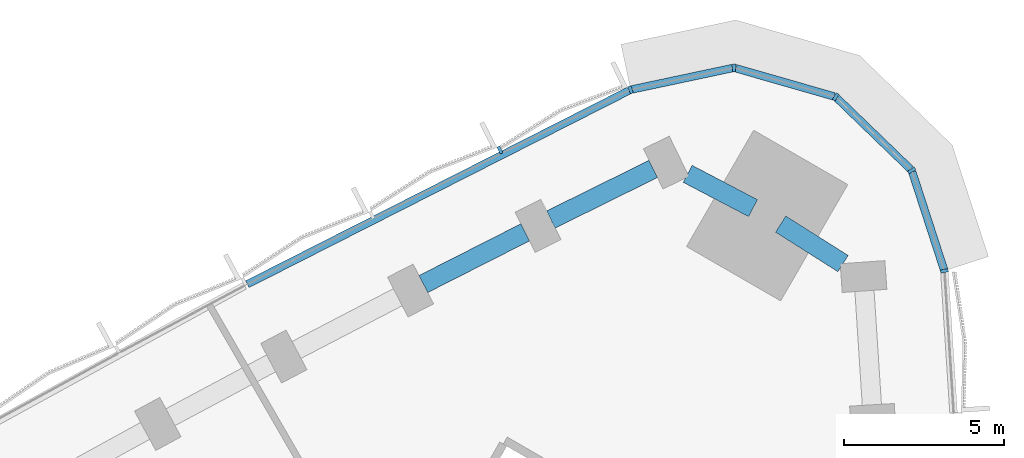
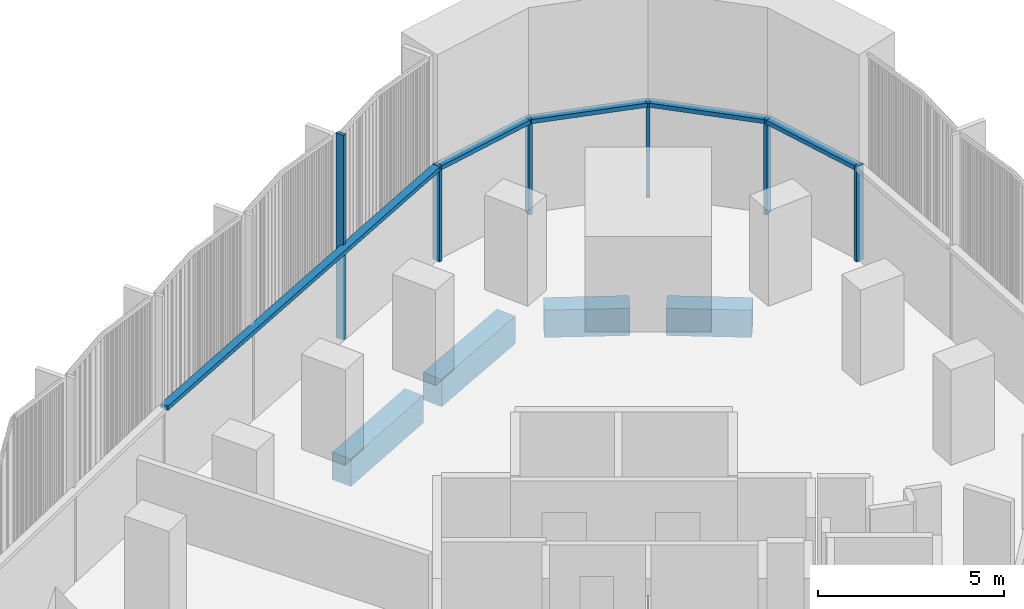
# One storey, part 7 of 16: 11 members, 4 beams, 2 elements without a shape of their own.
"""IFC4 building model written with IfcOpenShell, lengths in metres."""

import ifcopenshell
import ifcopenshell.guid

model = None  # the IFC model being written
_history = None  # IfcOwnerHistory: only IFC2X3 demands one
_inside = {}  # id of a spatial element -> (the spatial element, [elements in it])
_under = {}  # id of a project, library or spatial element -> (it, [spatial elements below it])
_declared = {}  # id of a project -> (the project, [libraries it declares])
_typed = {}  # id of a type object -> (the type object, [elements of that type])
_made_of = {}  # id of a material, layer set ... -> (it, [elements and type objects made of it])


def new_model(schema):
    """Start an empty IFC model of exactly this schema.

    Asked for "IFC4X3", IfcOpenShell would pick the latest addendum, in which some entities
    have other attributes; the version numbers below select the first issue.
    IFC2X3 requires an IfcOwnerHistory on every rooted entity: one is made here for all.
    """
    global model, _history
    if schema == "IFC4X3":
        model = ifcopenshell.file(schema_version=(4, 3, 0, 0))
    else:
        model = ifcopenshell.file(schema=schema)
    _inside.clear()
    _under.clear()
    _declared.clear()
    _typed.clear()
    _made_of.clear()
    _history = None
    if model.schema == "IFC2X3":
        org = make("IfcOrganization", Name="unknown")
        user = make(
            "IfcPersonAndOrganization",
            ThePerson=make("IfcPerson", FamilyName="unknown"),
            TheOrganization=org,
        )
        app = make(
            "IfcApplication",
            ApplicationDeveloper=org,
            Version="unknown",
            ApplicationFullName="unknown",
            ApplicationIdentifier="unknown",
        )
        _history = make(
            "IfcOwnerHistory",
            OwningUser=user,
            OwningApplication=app,
            ChangeAction="ADDED",
            CreationDate=0,
        )
    return model


def make(cls, **values):
    """One entity of the class cls with the attributes given. An attribute that is None is left unset."""
    return model.create_entity(
        cls, **{name: value for name, value in values.items() if value is not None}
    )


def rooted(cls, **values):
    """An entity with a GlobalId (a new one), such as an element, a storey or a relation."""
    return make(cls, GlobalId=ifcopenshell.guid.new(), OwnerHistory=_history, **values)


def si_unit(unit_type, name, prefix=None):
    """IfcSIUnit, for example si_unit("LENGTHUNIT", "METRE", prefix="MILLI")."""
    return make("IfcSIUnit", UnitType=unit_type, Prefix=prefix, Name=name)


def assignment(units):
    """IfcUnitAssignment: the units of a project."""
    return None if units is None else make("IfcUnitAssignment", Units=units)


def point(xyz):
    """IfcCartesianPoint."""
    return None if xyz is None else make("IfcCartesianPoint", Coordinates=xyz)


def direction(xyz):
    """IfcDirection."""
    return None if xyz is None else make("IfcDirection", DirectionRatios=xyz)


def frame(location, z_axis=None, x_axis=None):
    """IfcAxis2Placement3D, a coordinate frame: its origin and axes. An axis left out is left unset."""
    return make(
        "IfcAxis2Placement3D",
        Location=point(location),
        Axis=direction(z_axis),
        RefDirection=direction(x_axis),
    )


def frame_2d(location, x_axis=None):
    """IfcAxis2Placement2D, a coordinate frame in the plane: its origin and x axis."""
    return make(
        "IfcAxis2Placement2D", Location=point(location), RefDirection=direction(x_axis)
    )


def origin():
    """The frame at (0, 0, 0) with its axes left unset."""
    return frame((0.0, 0.0, 0.0))


def origin_2d():
    """The frame at (0, 0) in the plane with its x axis left unset."""
    return frame_2d((0.0, 0.0))


def place(relative_to, where):
    """IfcLocalPlacement: puts the frame where relative to a parent placement (None: the world)."""
    return make(
        "IfcLocalPlacement", PlacementRelTo=relative_to, RelativePlacement=where
    )


def context(
    kind, dimensions, precision=None, world=None, true_north=None, identifier=None
):
    """IfcGeometricRepresentationContext, for example the 3D "Model" context."""
    return make(
        "IfcGeometricRepresentationContext",
        ContextIdentifier=identifier,
        ContextType=kind,
        CoordinateSpaceDimension=dimensions,
        Precision=precision,
        WorldCoordinateSystem=world,
        TrueNorth=true_north,
    )


def subcontext(parent, identifier, kind, view, scale=None):
    """IfcGeometricRepresentationSubContext, for example "Body" below "Model"."""
    return make(
        "IfcGeometricRepresentationSubContext",
        ContextIdentifier=identifier,
        ContextType=kind,
        ParentContext=parent,
        TargetScale=scale,
        TargetView=view,
    )


def project(units=None, contexts=None):
    """IfcProject with its units and contexts."""
    return rooted(
        "IfcProject",
        Name="project",
        RepresentationContexts=contexts,
        UnitsInContext=assignment(units),
    )


def spatial(cls, under=None, at=None, **own):
    """A site, building, storey or space (cls), placed at a placement, below another one or the project."""
    s = rooted(cls, ObjectPlacement=at, **own)
    if under is not None:
        _under.setdefault(under.id(), (under, []))[1].append(s)
    return s


def profile(cls, at=None, kind="AREA", **sizes):
    """A parametric profile (cls). Its sizes go by their IFC names, for example OverallWidth=200.0."""
    return make(cls, ProfileType=kind, Position=at, **sizes)


def rectangle(**sizes):
    """IfcRectangleProfileDef."""
    return profile("IfcRectangleProfileDef", **sizes)


def extrude(swept, where, along, depth):
    """IfcExtrudedAreaSolid: the profile swept, set in the frame where, extruded along a direction by depth."""
    return make(
        "IfcExtrudedAreaSolid",
        SweptArea=swept,
        Position=where,
        ExtrudedDirection=direction(along),
        Depth=depth,
    )


def shape(context_of_items, identifier, shape_type, items):
    """IfcShapeRepresentation: the items that make up one representation, for example the "Body"."""
    return make(
        "IfcShapeRepresentation",
        ContextOfItems=context_of_items,
        RepresentationIdentifier=identifier,
        RepresentationType=shape_type,
        Items=items,
    )


def material(Name=None, Category=None):
    """IfcMaterial."""
    return make("IfcMaterial", Name=Name, Category=Category)


def material_profile(
    of_material, cross_section, Name=None, Category=None, Priority=None
):
    """IfcMaterialProfile: a cross section and its material."""
    return make(
        "IfcMaterialProfile",
        Name=Name,
        Material=of_material,
        Profile=cross_section,
        Priority=Priority,
        Category=Category,
    )


def profile_set(profiles, Name=None, composite=None):
    """IfcMaterialProfileSet."""
    return make(
        "IfcMaterialProfileSet",
        Name=Name,
        MaterialProfiles=profiles,
        CompositeProfile=composite,
    )


def made_of(thing, what):
    """Note that an element or type object is made of a material, layer set ...; save() writes the relation."""
    if what is not None:
        _made_of.setdefault(what.id(), (what, []))[1].append(thing)
    return thing


def type_object(cls, material=None, **own):
    """A type object (cls), such as IfcWallType, which elements share."""
    return made_of(rooted(cls, **own), material)


def element(
    cls,
    number,
    at=None,
    inside=None,
    cuts=None,
    type_object=None,
    material=None,
    context=None,
    identifier="Body",
    shape_type=None,
    held_by="IfcProductDefinitionShape",
    body=None,
    shapes=None,
    **own,
):
    """One element of the class cls, such as IfcWall. Its Tag is "e" and its number.

    at: its placement. inside: the storey or other place that contains it. cuts: it is an
    opening in that element (IfcRelVoidsElement). A single representation is given by context,
    identifier, shape_type and body (its items); several are given by shapes. held_by: the class
    of the entity that holds the representations. save() writes the other relations.
    """
    e = rooted(cls, Tag="e%d" % number, ObjectPlacement=at, **own)
    if body is not None:
        shapes = [shape(context, identifier, shape_type, body)]
    if shapes is not None:
        e.Representation = make(held_by, Representations=shapes)
    if inside is not None:
        _inside.setdefault(inside.id(), (inside, []))[1].append(e)
    if cuts is not None:
        rooted(
            "IfcRelVoidsElement", RelatingBuildingElement=cuts, RelatedOpeningElement=e
        )
    if type_object is not None:
        _typed.setdefault(type_object.id(), (type_object, []))[1].append(e)
    return made_of(e, material)


def aggregate(whole, parts):
    """IfcRelAggregates: a whole, such as a stair, and the parts it consists of."""
    return rooted("IfcRelAggregates", RelatingObject=whole, RelatedObjects=parts)


def save(model, path):
    """Write the relations noted so far, then the file.

    IfcRelAggregates (storeys below a building ...), IfcRelContainedInSpatialStructure (elements
    in a storey), IfcRelDefinesByType, IfcRelAssociatesMaterial and IfcRelDeclares: one each for
    every whole, place, type object, material and project.
    """
    for whole, parts in _under.values():
        aggregate(whole, parts)
    for where, things in _inside.values():
        rooted(
            "IfcRelContainedInSpatialStructure",
            RelatedElements=things,
            RelatingStructure=where,
        )
    for kind, things in _typed.values():
        rooted("IfcRelDefinesByType", RelatedObjects=things, RelatingType=kind)
    for what, things in _made_of.values():
        rooted("IfcRelAssociatesMaterial", RelatedObjects=things, RelatingMaterial=what)
    for by, libraries in _declared.values():
        rooted("IfcRelDeclares", RelatingContext=by, RelatedDefinitions=libraries)
    model.write(path)


model = new_model("IFC4")

# Units and contexts
model_context = context("Model", 3, precision=1e-05, world=origin(), true_north=direction((0.0, 1.0)))
body_context = subcontext(model_context, "Body", "Model", "MODEL_VIEW")
ifc_project = project(units=[si_unit("LENGTHUNIT", "METRE"), si_unit("AREAUNIT", "SQUARE_METRE"), si_unit("VOLUMEUNIT", "CUBIC_METRE"), si_unit("PLANEANGLEUNIT", "RADIAN"), si_unit("MASSUNIT", "GRAM", prefix="KILO")], contexts=[model_context])

# Site, building, storey
site_placement = place(None, origin())
site = spatial("IfcSite", under=ifc_project, at=site_placement, CompositionType="ELEMENT")
building_placement = place(site_placement, origin())
building = spatial("IfcBuilding", under=site, at=building_placement, Name="Tamra Quay Hotel Tower", CompositionType="ELEMENT")
storey_placement = place(building_placement, frame((0.0, 0.0, 56.60009765625)))
storey = spatial("IfcBuildingStorey", under=building, at=storey_placement, Name="L12", CompositionType="ELEMENT", Elevation=56.60009765625)

# Curtain wall, members
ifc_material_1 = material(Name="Aluminium 6063 anodised dark grey", Category="aluminium")
curtain_wall_type_1 = type_object("IfcCurtainWallType", Name="CW1 CURTAIN WALL", PredefinedType="NOTDEFINED", material=ifc_material_1)
curtain_wall_1_placement = place(storey_placement, origin())
curtain_wall_1 = element("IfcCurtainWall", 1, at=curtain_wall_1_placement, inside=storey, type_object=curtain_wall_type_1, Name="CW1 east face L12", PredefinedType="NOTDEFINED")
ifc_material_profile_1 = material_profile(ifc_material_1, rectangle(XDim=0.239990234375, YDim=0.10009765625, at=origin_2d()), Name="MULLION 100X240")
ifc_profile_set_1 = profile_set([ifc_material_profile_1], Name="Aluminium 6063 anodised dark grey")
member_type_1 = type_object("IfcMemberType", Name="MULLION CW1 Z1", PredefinedType="MULLION", material=ifc_profile_set_1)
member_1_placement = place(storey_placement, frame((23.40869140625, 29.2109375, 0.0), z_axis=(0.0, 0.0, 1.0), x_axis=(0.982094529733, 0.188388785943, 0.0)))
member_1 = element("IfcMember", 2, at=member_1_placement, type_object=member_type_1, Name="CW1 mullion L12.E.14", PredefinedType="MULLION", context=body_context, shape_type="SweptSolid", body=[
    extrude(rectangle(XDim=0.239990234375, YDim=0.10009765625, at=origin_2d()), origin(), (0.0, 0.0, 1.0), 3.125),
])
member_2_placement = place(storey_placement, frame((22.386474609375, 32.356201171875, 0.0), z_axis=(0.0, 0.0, 1.0), x_axis=(0.848039345356, 0.529933268183, 0.0)))
member_2 = element("IfcMember", 3, at=member_2_placement, type_object=member_type_1, Name="CW1 mullion L12.E.15", PredefinedType="MULLION", context=body_context, shape_type="SweptSolid", body=[
    extrude(rectangle(XDim=0.239990234375, YDim=0.10009765625, at=origin_2d()), origin(), (0.0, 0.0, 1.0), 3.125),
])
member_3_placement = place(storey_placement, frame((20.00732421875, 34.65380859375, 0.0), z_axis=(0.0, 0.0, 1.0), x_axis=(0.5, 0.866025403784, 0.0)))
member_3 = element("IfcMember", 4, at=member_3_placement, type_object=member_type_1, Name="CW1 mullion L12.E.16", PredefinedType="MULLION", context=body_context, shape_type="SweptSolid", body=[
    extrude(rectangle(XDim=0.239990234375, YDim=0.10009765625, at=origin_2d()), origin(), (0.0, 0.0, 1.0), 3.125),
])
member_4_placement = place(storey_placement, frame((16.828125, 35.5654296875, 0.0), z_axis=(0.0, 0.0, 1.0), x_axis=(0.034915999879, 0.999390250579, 0.0)))
member_4 = element("IfcMember", 5, at=member_4_placement, type_object=member_type_1, Name="CW1 mullion L12.E.17", PredefinedType="MULLION", context=body_context, shape_type="SweptSolid", body=[
    extrude(rectangle(XDim=0.239990234375, YDim=0.10009765625, at=origin_2d()), origin(), (0.0, 0.0, 1.0), 3.125),
])

curtain_wall_type_2 = type_object("IfcCurtainWallType", Name="CW2 CURTAIN WALL", PredefinedType="NOTDEFINED", material=ifc_material_1)
curtain_wall_2_placement = place(storey_placement, origin())
curtain_wall_2 = element("IfcCurtainWall", 6, at=curtain_wall_2_placement, inside=storey, type_object=curtain_wall_type_2, Name="CW2 north-west face L12", PredefinedType="NOTDEFINED")
ifc_material_profile_2 = material_profile(ifc_material_1, rectangle(XDim=0.239990234375, YDim=0.10009765625, at=origin_2d()), Name="MULLION 100X240")
ifc_profile_set_2 = profile_set([ifc_material_profile_2], Name="Aluminium 6063 anodised dark grey")
member_type_2 = type_object("IfcMemberType", Name="MULLION CW2 Z1", PredefinedType="MULLION", material=ifc_profile_set_2)
member_5_placement = place(storey_placement, frame((13.593017578125, 34.8779296875, 0.0), z_axis=(0.0, 0.0, 1.0), x_axis=(-0.327897790452, 0.944713204638, 0.0)))
member_5 = element("IfcMember", 7, at=member_5_placement, type_object=member_type_2, Name="CW2 mullion L12.NW.1", PredefinedType="MULLION", context=body_context, shape_type="SweptSolid", body=[
    extrude(rectangle(XDim=0.239990234375, YDim=0.10009765625, at=origin_2d()), origin(), (0.0, 0.0, 1.0), 3.125),
])
member_6_placement = place(storey_placement, frame((9.5078125, 32.994140625, 0.0), z_axis=(0.0, 0.0, 1.0), x_axis=(-0.447640760231, 0.894213481099, 0.0)))
member_6 = element("IfcMember", 8, at=member_6_placement, type_object=member_type_2, Name="CW2 mullion L12.NW.2", PredefinedType="MULLION", context=body_context, shape_type="SweptSolid", body=[
    extrude(rectangle(XDim=0.239990234375, YDim=0.10009765625, at=origin_2d()), origin(), (0.0, 0.0, 1.0), 6.724853515625),
])

# Beams
ifc_material_2 = material(Name="Concrete M60", Category="concrete")
ifc_material_profile_3 = material_profile(ifc_material_2, rectangle(XDim=0.60009765625, YDim=0.89990234375, at=origin_2d()), Name="SPANDREL BEAM RC 600x900")
ifc_profile_set_3 = profile_set([ifc_material_profile_3], Name="Concrete M60")
beam_type = type_object("IfcBeamType", Name="SPANDREL BEAM RC 600x900", PredefinedType="SPANDREL", material=ifc_profile_set_3)
beam_1_placement = place(storey_placement, frame((20.2373046875, 29.440185546875, -0.925048828125), z_axis=(-0.844978382684, 0.53480046073, 0.0), x_axis=(-0.53480046073, -0.844978382684, 0.0)))
element("IfcBeam", 9, at=beam_1_placement, inside=storey, type_object=beam_type, Name="BM-SP1-013-L12", PredefinedType="SPANDREL", context=body_context, shape_type="SweptSolid", body=[
    extrude(rectangle(XDim=0.60009765625, YDim=0.89990234375, at=origin_2d()), origin(), (0.0, 0.0, 1.0), 2.30859375),
])
beam_2_placement = place(storey_placement, frame((17.421630859375, 31.17431640625, -0.925048828125), z_axis=(-0.885674154565, 0.464307324879, 0.0), x_axis=(-0.464307324879, -0.885674154565, 0.0)))
element("IfcBeam", 10, at=beam_2_placement, inside=storey, type_object=beam_type, Name="BM-SP1-014-L12", PredefinedType="SPANDREL", context=body_context, shape_type="SweptSolid", body=[
    extrude(rectangle(XDim=0.60009765625, YDim=0.89990234375, at=origin_2d()), origin(), (0.0, 0.0, 1.0), 2.308349609375),
])
beam_3_placement = place(storey_placement, frame((14.301025390625, 32.3994140625, -0.925048828125), z_axis=(-0.896604328032, -0.442832563113, 0.0), x_axis=(0.442832563113, -0.896604328032, 0.0)))
element("IfcBeam", 11, at=beam_3_placement, inside=storey, type_object=beam_type, Name="BM-SP1-015-L12", PredefinedType="SPANDREL", context=body_context, shape_type="SweptSolid", body=[
    extrude(rectangle(XDim=0.60009765625, YDim=0.89990234375, at=origin_2d()), origin(), (0.0, 0.0, 1.0), 3.57080078125),
])
beam_4_placement = place(storey_placement, frame((10.294677734375, 30.415283203125, -0.925048828125), z_axis=(-0.891785652583, -0.452458119439, 0.0), x_axis=(0.452458119439, -0.891785652583, 0.0)))
element("IfcBeam", 12, at=beam_4_placement, inside=storey, type_object=beam_type, Name="BM-SP1-016-L12", PredefinedType="SPANDREL", context=body_context, shape_type="SweptSolid", body=[
    extrude(rectangle(XDim=0.60009765625, YDim=0.89990234375, at=origin_2d()), origin(), (0.0, 0.0, 1.0), 3.56982421875),
])

# Member
ifc_material_profile_4 = material_profile(ifc_material_1, rectangle(XDim=0.239990234375, YDim=0.139892578125, at=origin_2d()), Name="TRANSOM 240X140")
ifc_profile_set_4 = profile_set([ifc_material_profile_4], Name="Aluminium 6063 anodised dark grey")
member_type_3 = type_object("IfcMemberType", Name="TRANSOM CW1 Z1", PredefinedType="USERDEFINED", material=ifc_profile_set_4)
member_7_placement = place(storey_placement, frame((23.39306640625, 29.25830078125, 3.054931640625), z_axis=(-0.309025833938, 0.951053644102, 0.0), x_axis=(-0.951053644102, -0.309025833938, 0.0)))
member_7 = element("IfcMember", 13, at=member_7_placement, type_object=member_type_3, Name="CW1 transom L12.E.14", ObjectType="TRANSOM", PredefinedType="USERDEFINED", context=body_context, shape_type="SweptSolid", body=[
    extrude(rectangle(XDim=0.239990234375, YDim=0.139892578125, at=origin_2d()), origin(), (0.0, 0.0, 1.0), 3.20751953125),
])

member_8_placement = place(storey_placement, frame((22.3505859375, 32.39111328125, 3.054931640625), z_axis=(-0.719405395398, 0.694590438367, 0.0), x_axis=(-0.694590438367, -0.719405395398, 0.0)))
member_8 = element("IfcMember", 14, at=member_8_placement, type_object=member_type_3, Name="CW1 transom L12.E.15", ObjectType="TRANSOM", PredefinedType="USERDEFINED", context=body_context, shape_type="SweptSolid", body=[
    extrude(rectangle(XDim=0.239990234375, YDim=0.139892578125, at=origin_2d()), origin(), (0.0, 0.0, 1.0), 3.207275390625),
])

member_9_placement = place(storey_placement, frame((19.959228515625, 34.66748046875, 3.054931640625), z_axis=(-0.961262114071, 0.275635897612, 0.0), x_axis=(-0.275635897612, -0.961262114071, 0.0)))
member_9 = element("IfcMember", 15, at=member_9_placement, type_object=member_type_3, Name="CW1 transom L12.E.16", ObjectType="TRANSOM", PredefinedType="USERDEFINED", context=body_context, shape_type="SweptSolid", body=[
    extrude(rectangle(XDim=0.239990234375, YDim=0.139892578125, at=origin_2d()), origin(), (0.0, 0.0, 1.0), 3.207275390625),
])

member_10_placement = place(storey_placement, frame((16.779296875, 35.554931640625, 3.054931640625), z_axis=(-0.978156336052, -0.20787059013, 0.0), x_axis=(0.20787059013, -0.978156336052, 0.0)))
member_10 = element("IfcMember", 16, at=member_10_placement, type_object=member_type_3, Name="CW1 transom L12.E.17", ObjectType="TRANSOM", PredefinedType="USERDEFINED", context=body_context, shape_type="SweptSolid", body=[
    extrude(rectangle(XDim=0.239990234375, YDim=0.139892578125, at=origin_2d()), origin(), (0.0, 0.0, 1.0), 3.20751953125),
])

aggregate(curtain_wall_1, [member_1, member_7, member_2, member_8, member_3, member_9, member_4, member_10])

ifc_material_profile_5 = material_profile(ifc_material_1, rectangle(XDim=0.239990234375, YDim=0.139892578125, at=origin_2d()), Name="TRANSOM 240X140")
ifc_profile_set_5 = profile_set([ifc_material_profile_5], Name="Aluminium 6063 anodised dark grey")
member_type_4 = type_object("IfcMemberType", Name="TRANSOM CW2 Z1", PredefinedType="USERDEFINED", material=ifc_profile_set_5)
member_11_placement = place(storey_placement, frame((13.548095703125, 34.855712890625, 3.054931640625), z_axis=(-0.89178662734, -0.452456198208, 0.0), x_axis=(0.452456198208, -0.89178662734, 0.0)))
member_11 = element("IfcMember", 17, at=member_11_placement, type_object=member_type_4, Name="CW2 transom L12.NW.1", ObjectType="TRANSOM", PredefinedType="USERDEFINED", context=body_context, shape_type="SweptSolid", body=[
    extrude(rectangle(XDim=0.239990234375, YDim=0.139892578125, at=origin_2d()), origin(), (0.0, 0.0, 1.0), 13.39208984375),
])

aggregate(curtain_wall_2, [member_5, member_11, member_6])

save(model, "model.ifc")
